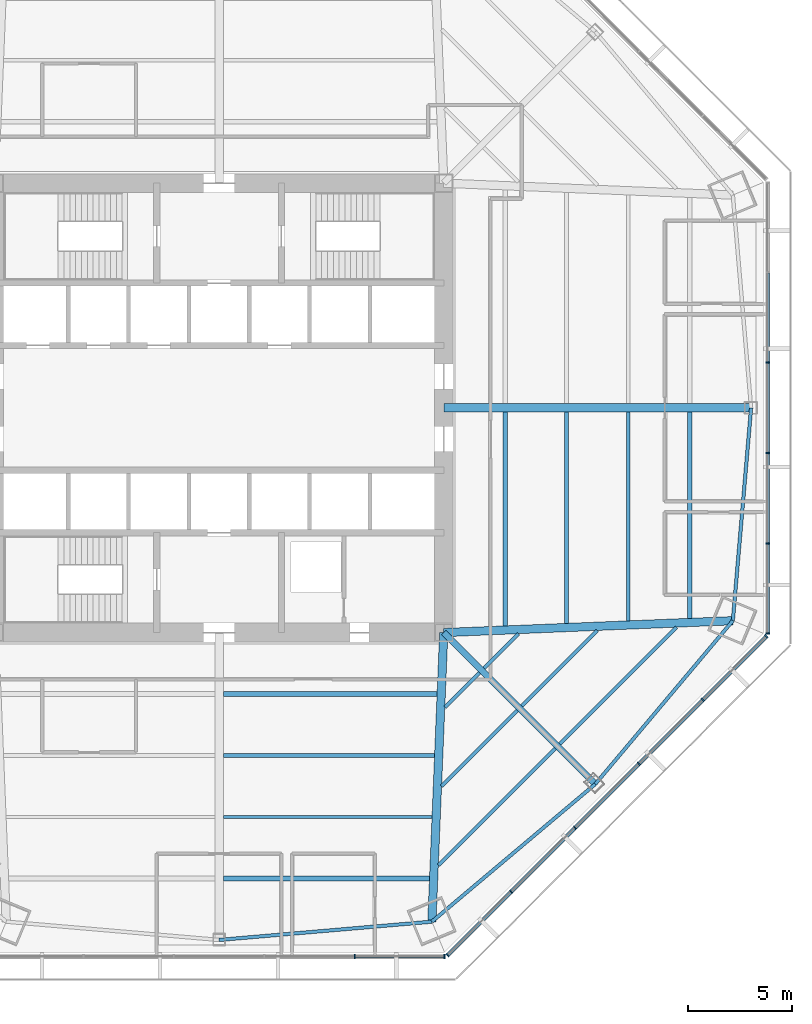
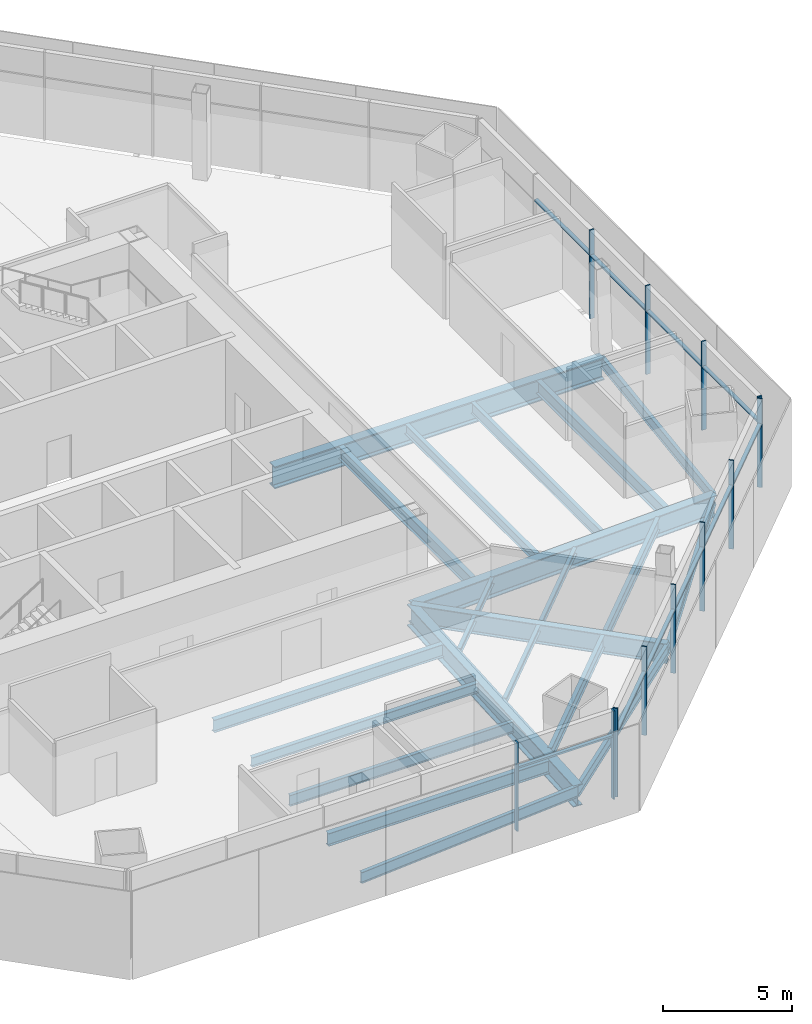
# One storey, part 4 of 15: 22 beams, 22 members, 3 elements without a shape of their own.
"""IFC4 building model written with IfcOpenShell, lengths in metres."""

from ifc_helpers import new_model, si_unit, direction, frame, origin, origin_2d, place, context, subcontext, project, spatial, rectangle, i_section, extrude, source, transform, mapped, material, material_profile, profile_set, type_object, type_shapes, element, aggregate, save


model = new_model("IFC4")

# Units and contexts
model_context = context("Model", 3, precision=1e-05, world=origin(), true_north=direction((0.0, 1.0)))
body_context = subcontext(model_context, "Body", "Model", "MODEL_VIEW")
ifc_project = project(units=[si_unit("LENGTHUNIT", "METRE"), si_unit("AREAUNIT", "SQUARE_METRE"), si_unit("VOLUMEUNIT", "CUBIC_METRE"), si_unit("PLANEANGLEUNIT", "RADIAN"), si_unit("MASSUNIT", "GRAM", prefix="KILO")], contexts=[model_context])

# Site, building, storey
site_placement = place(None, origin())
site = spatial("IfcSite", under=ifc_project, at=site_placement, CompositionType="ELEMENT")
building_placement = place(site_placement, origin())
building = spatial("IfcBuilding", under=site, at=building_placement, Name="Mashrafa Tower", CompositionType="ELEMENT")
storey_placement = place(building_placement, frame((0.0, 0.0, 58.199951171875)))
storey = spatial("IfcBuildingStorey", under=building, at=storey_placement, Name="L12", CompositionType="ELEMENT", Elevation=58.199951171875)

# Beams
ifc_material_1 = material(Name="Steel ASTM A992", Category="steel")
ifc_material_profile_1 = material_profile(ifc_material_1, i_section(OverallWidth=0.164794921875, OverallDepth=0.309814453125, WebThickness=0.005859375, FlangeThickness=0.009765625, FilletRadius=0.007568359375, at=origin_2d()), Name="W12X26")
ifc_profile_set_1 = profile_set([ifc_material_profile_1], Name="Steel ASTM A992")
beam_type_1 = type_object("IfcBeamType", Name="Beam W12X26", PredefinedType="BEAM", material=ifc_profile_set_1)
beam_1_placement = place(storey_placement, frame((12.511962890625, -12.7294921875, -0.31982421875), z_axis=(-0.707106781187, -0.707106781187, 0.0), x_axis=(0.707106781187, -0.707106781187, 0.0)))
element("IfcBeam", 1, at=beam_1_placement, inside=storey, type_object=beam_type_1, Name="Floor beam L12 040", PredefinedType="BEAM", context=body_context, shape_type="SweptSolid", body=[
    extrude(i_section(OverallWidth=0.164794921875, OverallDepth=0.309814453125, WebThickness=0.005859375, FlangeThickness=0.009765625, FilletRadius=0.007568359375, at=origin_2d()), origin(), (0.0, 0.0, 1.0), 2.345703125),
])
beam_2_placement = place(storey_placement, frame((14.332763671875, -14.550048828125, -0.31982421875), z_axis=(-0.707106781187, -0.707106781187, 0.0), x_axis=(0.707106781187, -0.707106781187, 0.0)))
element("IfcBeam", 2, at=beam_2_placement, inside=storey, type_object=beam_type_1, Name="Floor beam L12 044", PredefinedType="BEAM", context=body_context, shape_type="SweptSolid", body=[
    extrude(i_section(OverallWidth=0.164794921875, OverallDepth=0.309814453125, WebThickness=0.005859375, FlangeThickness=0.009765625, FilletRadius=0.007568359375, at=origin_2d()), origin(), (0.0, 0.0, 1.0), 5.141357421875),
])
beam_3_placement = place(storey_placement, frame((14.38818359375, -10.853271484375, -0.31982421875), z_axis=(-0.707106781187, -0.707106781187, 0.0), x_axis=(0.707106781187, -0.707106781187, 0.0)))
element("IfcBeam", 3, at=beam_3_placement, inside=storey, type_object=beam_type_1, Name="Floor beam L12 046", PredefinedType="BEAM", context=body_context, shape_type="SweptSolid", body=[
    extrude(i_section(OverallWidth=0.164794921875, OverallDepth=0.309814453125, WebThickness=0.005859375, FlangeThickness=0.009765625, FilletRadius=0.007568359375, at=origin_2d()), origin(), (0.0, 0.0, 1.0), 2.345703125),
])
beam_4_placement = place(storey_placement, frame((18.185546875, -10.697265625, -0.31982421875), z_axis=(-0.707106781187, -0.707106781187, 0.0), x_axis=(0.707106781187, -0.707106781187, 0.0)))
element("IfcBeam", 4, at=beam_4_placement, inside=storey, type_object=beam_type_1, Name="Floor beam L12 051", PredefinedType="BEAM", context=body_context, shape_type="SweptSolid", body=[
    extrude(i_section(OverallWidth=0.164794921875, OverallDepth=0.309814453125, WebThickness=0.005859375, FlangeThickness=0.009765625, FilletRadius=0.007568359375, at=origin_2d()), origin(), (0.0, 0.0, 1.0), 5.141357421875),
])
ifc_material_2 = material(Name="Steel ASTM A992", Category="steel")
ifc_material_profile_2 = material_profile(ifc_material_2, i_section(OverallWidth=0.191162109375, OverallDepth=0.459716796875, WebThickness=0.010009765625, FlangeThickness=0.01611328125, FilletRadius=0.01025390625, at=origin_2d()), Name="W18X55")
ifc_profile_set_2 = profile_set([ifc_material_profile_2], Name="Steel ASTM A992")
beam_type_2 = type_object("IfcBeamType", Name="Beam W18X55", PredefinedType="BEAM", material=ifc_profile_set_2)
for number, where, z_axis, x_axis, name in (
    (5, (10.356201171875, -16.709228515625, -0.394775390625), (-1.0, 0.0, 0.0), (0.0, -1.0, 0.0), "Floor beam L12 037"),
    (6, (16.709228515625, -0.20458984375, -0.394775390625), (0.0, -1.0, 0.0), (1.0, 0.0, 0.0), "Floor beam L12 049"),
):
    element("IfcBeam", number, at=place(storey_placement, frame(where, z_axis=z_axis, x_axis=x_axis)), inside=storey, type_object=beam_type_2, Name=name, PredefinedType="BEAM", context=body_context, shape_type="SweptSolid", body=[
        extrude(i_section(OverallWidth=0.191162109375, OverallDepth=0.459716796875, WebThickness=0.010009765625, FlangeThickness=0.01611328125, FilletRadius=0.01025390625, at=origin_2d()), origin(), (0.0, 0.0, 1.0), 10.151611328125),
    ])
ifc_material_3 = material(Name="Steel ASTM A992", Category="steel")
ifc_material_profile_3 = material_profile(ifc_material_3, i_section(OverallWidth=0.165771484375, OverallDepth=0.5283203125, WebThickness=0.009765625, FlangeThickness=0.013671875, FilletRadius=0.012939453125, at=origin_2d()), Name="W21X50")
ifc_profile_set_3 = profile_set([ifc_material_profile_3], Name="Steel ASTM A992")
beam_type_3 = type_object("IfcBeamType", Name="Beam W21X50", PredefinedType="BEAM", material=ifc_profile_set_3)
for number, where, z_axis, x_axis, name in (
    (7, (10.23486328125, -19.663818359375, -0.42919921875), (-1.0, 0.0, 0.0), (0.0, -1.0, 0.0), "Floor beam L12 035"),
    (8, (19.663818359375, -0.20458984375, -0.42919921875), (0.0, -1.0, 0.0), (1.0, 0.0, 0.0), "Floor beam L12 052"),
):
    element("IfcBeam", number, at=place(storey_placement, frame(where, z_axis=z_axis, x_axis=x_axis)), inside=storey, type_object=beam_type_3, Name=name, PredefinedType="BEAM", context=body_context, shape_type="SweptSolid", body=[
        extrude(i_section(OverallWidth=0.165771484375, OverallDepth=0.5283203125, WebThickness=0.009765625, FlangeThickness=0.013671875, FilletRadius=0.012939453125, at=origin_2d()), origin(), (0.0, 0.0, 1.0), 10.0302734375),
    ])
for number, where, z_axis, x_axis, name in (
    (9, (0.0, -25.572998046875, -0.42919921875), (0.996335019601, 0.08553670976, 0.0), (-0.08553670976, 0.996335019601, 0.0), "Spandrel beam L12 080"),
    (10, (10.22900390625, -24.69482421875, -0.42919921875), (0.764989509538, 0.644042739495, 0.0), (-0.644042739495, 0.764989509538, 0.0), "Spandrel beam L12 082"),
    (11, (18.082763671875, -18.082763671875, -0.42919921875), (0.644042739495, 0.764989509538, 0.0), (-0.764989509538, 0.644042739495, 0.0), "Spandrel beam L12 084"),
    (12, (24.69482421875, -10.22900390625, -0.42919921875), (0.08553670976, 0.996335019601, 0.0), (-0.996335019601, 0.08553670976, 0.0), "Spandrel beam L12 086"),
):
    element("IfcBeam", number, at=place(storey_placement, frame(where, z_axis=z_axis, x_axis=x_axis)), inside=storey, type_object=beam_type_3, Name=name, PredefinedType="BEAM", context=body_context, shape_type="SweptSolid", body=[
        extrude(i_section(OverallWidth=0.165771484375, OverallDepth=0.5283203125, WebThickness=0.009765625, FlangeThickness=0.013671875, FilletRadius=0.012939453125, at=origin_2d()), origin(), (0.0, 0.0, 1.0), 10.2666015625),
    ])
ifc_material_4 = material(Name="Steel ASTM A992", Category="steel")
ifc_material_profile_4 = material_profile(ifc_material_4, i_section(OverallWidth=0.177978515625, OverallDepth=0.599365234375, WebThickness=0.010009765625, FlangeThickness=0.012939453125, FilletRadius=0.012939453125, at=origin_2d()), Name="W24X55")
ifc_profile_set_4 = profile_set([ifc_material_profile_4], Name="Steel ASTM A992")
beam_type_4 = type_object("IfcBeamType", Name="Beam W24X55", PredefinedType="BEAM", material=ifc_profile_set_4)
for number, where, z_axis, x_axis, name in (
    (13, (16.1533203125, -16.370849609375, -0.464599609375), (-0.707106781187, -0.707106781187, 0.0), (0.707106781187, -0.707106781187, 0.0), "Floor beam L12 047"),
    (14, (21.98291015625, -10.541259765625, -0.464599609375), (-0.707106781187, -0.707106781187, 0.0), (0.707106781187, -0.707106781187, 0.0), "Floor beam L12 054"),
):
    element("IfcBeam", number, at=place(storey_placement, frame(where, z_axis=z_axis, x_axis=x_axis)), inside=storey, type_object=beam_type_4, Name=name, PredefinedType="BEAM", context=body_context, shape_type="SweptSolid", body=[
        extrude(i_section(OverallWidth=0.177978515625, OverallDepth=0.599365234375, WebThickness=0.010009765625, FlangeThickness=0.012939453125, FilletRadius=0.012939453125, at=origin_2d()), origin(), (0.0, 0.0, 1.0), 7.936767578125),
    ])
ifc_material_5 = material(Name="Steel ASTM A992", Category="steel")
ifc_material_profile_5 = material_profile(ifc_material_5, i_section(OverallWidth=0.227783203125, OverallDepth=0.60205078125, WebThickness=0.010498046875, FlangeThickness=0.014892578125, FilletRadius=0.012939453125, at=origin_2d()), Name="W24X68")
ifc_profile_set_5 = profile_set([ifc_material_profile_5], Name="Steel ASTM A992")
beam_type_5 = type_object("IfcBeamType", Name="Beam W24X68", PredefinedType="BEAM", material=ifc_profile_set_5)
for number, where, z_axis, x_axis, name in (
    (15, (10.477783203125, -13.754638671875, -0.4658203125), (-1.0, 0.0, 0.0), (0.0, -1.0, 0.0), "Floor beam L12 039"),
    (16, (13.754638671875, -0.20458984375, -0.4658203125), (0.0, -1.0, 0.0), (1.0, 0.0, 0.0), "Floor beam L12 042"),
):
    element("IfcBeam", number, at=place(storey_placement, frame(where, z_axis=z_axis, x_axis=x_axis)), inside=storey, type_object=beam_type_5, Name=name, PredefinedType="BEAM", context=body_context, shape_type="SweptSolid", body=[
        extrude(i_section(OverallWidth=0.227783203125, OverallDepth=0.60205078125, WebThickness=0.010498046875, FlangeThickness=0.014892578125, FilletRadius=0.012939453125, at=origin_2d()), origin(), (0.0, 0.0, 1.0), 10.273193359375),
    ])
ifc_material_6 = material(Name="Steel ASTM A992", Category="steel")
ifc_material_profile_6 = material_profile(ifc_material_6, i_section(OverallWidth=0.228271484375, OverallDepth=0.607177734375, WebThickness=0.01123046875, FlangeThickness=0.017333984375, FilletRadius=0.0126953125, at=origin_2d()), Name="W24X76")
ifc_profile_set_6 = profile_set([ifc_material_profile_6], Name="Steel ASTM A992")
beam_type_6 = type_object("IfcBeamType", Name="Beam W24X76", PredefinedType="BEAM", material=ifc_profile_set_6)
for number, where, z_axis, x_axis, name in (
    (17, (10.11328125, -22.618408203125, -0.468505859375), (-1.0, 0.0, 0.0), (0.0, -1.0, 0.0), "Floor beam L12 033"),
    (18, (22.618408203125, -0.20458984375, -0.468505859375), (0.0, -1.0, 0.0), (1.0, 0.0, 0.0), "Floor beam L12 055"),
):
    element("IfcBeam", number, at=place(storey_placement, frame(where, z_axis=z_axis, x_axis=x_axis)), inside=storey, type_object=beam_type_6, Name=name, PredefinedType="BEAM", context=body_context, shape_type="SweptSolid", body=[
        extrude(i_section(OverallWidth=0.228271484375, OverallDepth=0.607177734375, WebThickness=0.01123046875, FlangeThickness=0.017333984375, FilletRadius=0.0126953125, at=origin_2d()), origin(), (0.0, 0.0, 1.0), 9.90869140625),
    ])
ifc_material_7 = material(Name="Steel ASTM A992", Category="steel")
ifc_material_profile_7 = material_profile(ifc_material_7, i_section(OverallWidth=0.307373046875, OverallDepth=0.927001953125, WebThickness=0.01953125, FlangeThickness=0.031982421875, FilletRadius=0.01904296875, at=origin_2d()), Name="W36X194")
ifc_profile_set_7 = profile_set([ifc_material_profile_7], Name="Steel ASTM A992")
beam_type_7 = type_object("IfcBeamType", Name="Beam W36X194", PredefinedType="BEAM", material=ifc_profile_set_7)
beam_5_placement = place(storey_placement, frame((10.800048828125, -10.800048828125, -0.62841796875), z_axis=(0.707106781187, -0.707106781187, 0.0), x_axis=(0.707106781187, 0.707106781187, 0.0)))
element("IfcBeam", 19, at=beam_5_placement, inside=storey, type_object=beam_type_7, Name="Radial girder L12 067", PredefinedType="BEAM", context=body_context, shape_type="SweptSolid", body=[
    extrude(i_section(OverallWidth=0.307373046875, OverallDepth=0.927001953125, WebThickness=0.01953125, FlangeThickness=0.031982421875, FilletRadius=0.01904296875, at=origin_2d()), origin(), (0.0, 0.0, 1.0), 10.29931640625),
])
ifc_material_8 = material(Name="Steel ASTM A992", Category="steel")
ifc_material_profile_8 = material_profile(ifc_material_8, i_section(OverallWidth=0.4013671875, OverallDepth=1.010986328125, WebThickness=0.023681640625, FlangeThickness=0.0419921875, FilletRadius=0.02001953125, at=origin_2d()), Name="W40X297")
ifc_profile_set_8 = profile_set([ifc_material_profile_8], Name="Steel ASTM A992")
beam_type_8 = type_object("IfcBeamType", Name="Beam W40X297", PredefinedType="BEAM", material=ifc_profile_set_8)
for number, where, z_axis, x_axis, name in (
    (20, (10.800048828125, -10.800048828125, -0.67041015625), (-0.041063152138, -0.999156553067, 0.0), (0.999156553067, -0.041063152138, 0.0), "Radial girder L12 066"),
    (21, (10.800048828125, -10.800048828125, -0.67041015625), (0.999156553067, 0.041063152138, 0.0), (-0.041063152138, 0.999156553067, 0.0), "Radial girder L12 068"),
):
    element("IfcBeam", number, at=place(storey_placement, frame(where, z_axis=z_axis, x_axis=x_axis)), inside=storey, type_object=beam_type_8, Name=name, PredefinedType="BEAM", context=body_context, shape_type="SweptSolid", body=[
        extrude(i_section(OverallWidth=0.4013671875, OverallDepth=1.010986328125, WebThickness=0.023681640625, FlangeThickness=0.0419921875, FilletRadius=0.02001953125, at=origin_2d()), origin(), (0.0, 0.0, 1.0), 13.906494140625),
    ])
ifc_material_9 = material(Name="Steel ASTM A992", Category="steel")
ifc_material_profile_9 = material_profile(ifc_material_9, i_section(OverallWidth=0.408935546875, OverallDepth=1.04150390625, WebThickness=0.031005859375, FlangeThickness=0.055908203125, FilletRadius=0.020263671875, at=origin_2d()), Name="W40X397")
ifc_profile_set_9 = profile_set([ifc_material_profile_9], Name="Steel ASTM A992")
beam_type_9 = type_object("IfcBeamType", Name="Beam W40X397", PredefinedType="BEAM", material=ifc_profile_set_9)
beam_6_placement = place(storey_placement, frame((10.800048828125, 0.0, -0.685546875), z_axis=(1.0, 0.0, 0.0), x_axis=(0.0, 1.0, 0.0)))
element("IfcBeam", 22, at=beam_6_placement, inside=storey, type_object=beam_type_9, Name="Radial girder L12 069", PredefinedType="BEAM", context=body_context, shape_type="SweptSolid", body=[
    extrude(i_section(OverallWidth=0.408935546875, OverallDepth=1.04150390625, WebThickness=0.031005859375, FlangeThickness=0.055908203125, FilletRadius=0.020263671875, at=origin_2d()), origin(), (0.0, 0.0, 1.0), 14.77294921875),
])

# Curtain wall, members
ifc_material_10 = material(Name="Unitised aluminium curtain wall", Category="aluminium")
curtain_wall_type = type_object("IfcCurtainWallType", Name="Office curtain wall, zone 1 CW-A 200 deep", PredefinedType="NOTDEFINED", material=ifc_material_10)
curtain_wall_1_placement = place(storey_placement, origin())
curtain_wall_1 = element("IfcCurtainWall", 23, at=curtain_wall_1_placement, inside=storey, type_object=curtain_wall_type, Name="Office curtain wall, zone 1 L12 east", PredefinedType="NOTDEFINED")
ifc_material_11 = material(Name="Extruded aluminium mullion", Category="aluminium")
ifc_material_profile_10 = material_profile(ifc_material_11, rectangle(XDim=0.199951171875, YDim=0.06494140625, at=origin_2d()), Name="Mullion 65x200")
ifc_profile_set_10 = profile_set([ifc_material_profile_10], Name="Extruded aluminium mullion")
member_type_1 = type_object("IfcMemberType", Name="Mullion CW-A 65 x 200", PredefinedType="MULLION", material=ifc_profile_set_10)
shared_shape_1 = source(origin(), body_context, "Body", "SweptSolid", [
    extrude(rectangle(XDim=0.199951171875, YDim=0.06494140625, at=origin_2d()), origin(), (0.0, 0.0, 1.0), 4.199951171875),
])
type_shapes(member_type_1, [shared_shape_1])
member_1_placement = place(storey_placement, frame((26.368408203125, -10.838134765625, 0.0), z_axis=(0.0, 0.0, 1.0), x_axis=(-1.0, 0.0, 0.0)))
member_1 = element("IfcMember", 24, at=member_1_placement, type_object=member_type_1, Name="CW-A mullion 1", PredefinedType="MULLION", context=body_context, shape_type="MappedRepresentation", body=[
    mapped(shared_shape_1, transform((0.0, 0.0, 0.0))),
])
member_2_placement = place(storey_placement, frame((26.368408203125, -6.5224609375, 0.0), z_axis=(0.0, 0.0, 1.0), x_axis=(-1.0, 0.0, 0.0)))
member_2 = element("IfcMember", 25, at=member_2_placement, type_object=member_type_1, Name="CW-A mullion 2", PredefinedType="MULLION", context=body_context, shape_type="MappedRepresentation", body=[
    mapped(shared_shape_1, transform((0.0, 0.0, 0.0))),
])
member_3_placement = place(storey_placement, frame((26.368408203125, -2.174072265625, 0.0), z_axis=(0.0, 0.0, 1.0), x_axis=(-1.0, 0.0, 0.0)))
member_3 = element("IfcMember", 26, at=member_3_placement, type_object=member_type_1, Name="CW-A mullion 3", PredefinedType="MULLION", context=body_context, shape_type="MappedRepresentation", body=[
    mapped(shared_shape_1, transform((0.0, 0.0, 0.0))),
])
member_4_placement = place(storey_placement, frame((26.368408203125, 2.174072265625, 0.0), z_axis=(0.0, 0.0, 1.0), x_axis=(-1.0, 0.0, 0.0)))
member_4 = element("IfcMember", 27, at=member_4_placement, type_object=member_type_1, Name="CW-A mullion 4", PredefinedType="MULLION", context=body_context, shape_type="MappedRepresentation", body=[
    mapped(shared_shape_1, transform((0.0, 0.0, 0.0))),
])

curtain_wall_2_placement = place(storey_placement, origin())
curtain_wall_2 = element("IfcCurtainWall", 28, at=curtain_wall_2_placement, inside=storey, type_object=curtain_wall_type, Name="Office curtain wall, zone 1 L12 south", PredefinedType="NOTDEFINED")
member_5_placement = place(storey_placement, frame((6.5224609375, -26.368408203125, 0.0), z_axis=(0.0, 0.0, 1.0), x_axis=(0.0, 1.0, 0.0)))
member_5 = element("IfcMember", 29, at=member_5_placement, type_object=member_type_1, Name="CW-A mullion 5", PredefinedType="MULLION", context=body_context, shape_type="MappedRepresentation", body=[
    mapped(shared_shape_1, transform((0.0, 0.0, 0.0))),
])
member_6_placement = place(storey_placement, frame((10.838134765625, -26.368408203125, 0.0), z_axis=(0.0, 0.0, 1.0), x_axis=(0.0, 1.0, 0.0)))
member_6 = element("IfcMember", 30, at=member_6_placement, type_object=member_type_1, Name="CW-A mullion 6", PredefinedType="MULLION", context=body_context, shape_type="MappedRepresentation", body=[
    mapped(shared_shape_1, transform((0.0, 0.0, 0.0))),
])

curtain_wall_3_placement = place(storey_placement, origin())
curtain_wall_3 = element("IfcCurtainWall", 31, at=curtain_wall_3_placement, inside=storey, type_object=curtain_wall_type, Name="Office curtain wall, zone 1 L12 south-east", PredefinedType="NOTDEFINED")
member_7_placement = place(storey_placement, frame((10.9814453125, -26.30908203125, 0.0), z_axis=(0.0, 0.0, 1.0), x_axis=(-0.707106781187, 0.707106781187, 0.0)))
member_7 = element("IfcMember", 32, at=member_7_placement, type_object=member_type_1, Name="CW-A mullion 1", PredefinedType="MULLION", context=body_context, shape_type="MappedRepresentation", body=[
    mapped(shared_shape_1, transform((0.0, 0.0, 0.0))),
])
member_8_placement = place(storey_placement, frame((14.033203125, -23.25732421875, 0.0), z_axis=(0.0, 0.0, 1.0), x_axis=(-0.707106781187, 0.707106781187, 0.0)))
member_8 = element("IfcMember", 33, at=member_8_placement, type_object=member_type_1, Name="CW-A mullion 2", PredefinedType="MULLION", context=body_context, shape_type="MappedRepresentation", body=[
    mapped(shared_shape_1, transform((0.0, 0.0, 0.0))),
])
member_9_placement = place(storey_placement, frame((17.10791015625, -20.1826171875, 0.0), z_axis=(0.0, 0.0, 1.0), x_axis=(-0.707106781187, 0.707106781187, 0.0)))
member_9 = element("IfcMember", 34, at=member_9_placement, type_object=member_type_1, Name="CW-A mullion 3", PredefinedType="MULLION", context=body_context, shape_type="MappedRepresentation", body=[
    mapped(shared_shape_1, transform((0.0, 0.0, 0.0))),
])
member_10_placement = place(storey_placement, frame((20.1826171875, -17.10791015625, 0.0), z_axis=(0.0, 0.0, 1.0), x_axis=(-0.707106781187, 0.707106781187, 0.0)))
member_10 = element("IfcMember", 35, at=member_10_placement, type_object=member_type_1, Name="CW-A mullion 4", PredefinedType="MULLION", context=body_context, shape_type="MappedRepresentation", body=[
    mapped(shared_shape_1, transform((0.0, 0.0, 0.0))),
])
member_11_placement = place(storey_placement, frame((23.25732421875, -14.033203125, 0.0), z_axis=(0.0, 0.0, 1.0), x_axis=(-0.707106781187, 0.707106781187, 0.0)))
member_11 = element("IfcMember", 36, at=member_11_placement, type_object=member_type_1, Name="CW-A mullion 5", PredefinedType="MULLION", context=body_context, shape_type="MappedRepresentation", body=[
    mapped(shared_shape_1, transform((0.0, 0.0, 0.0))),
])
member_12_placement = place(storey_placement, frame((26.30908203125, -10.9814453125, 0.0), z_axis=(0.0, 0.0, 1.0), x_axis=(-0.707106781187, 0.707106781187, 0.0)))
member_12 = element("IfcMember", 37, at=member_12_placement, type_object=member_type_1, Name="CW-A mullion 6", PredefinedType="MULLION", context=body_context, shape_type="MappedRepresentation", body=[
    mapped(shared_shape_1, transform((0.0, 0.0, 0.0))),
])

# Member
ifc_material_12 = material(Name="Extruded aluminium transom", Category="aluminium")
ifc_material_profile_11 = material_profile(ifc_material_12, rectangle(XDim=0.159912109375, YDim=0.080078125, at=origin_2d()), Name="Transom 80x160")
ifc_profile_set_11 = profile_set([ifc_material_profile_11], Name="Extruded aluminium transom")
member_type_2 = type_object("IfcMemberType", Name="Transom CW-A 80 x 160", PredefinedType="MULLION", material=ifc_profile_set_11)
shared_shape_2 = source(origin(), body_context, "Body", "SweptSolid", [
    extrude(rectangle(XDim=0.159912109375, YDim=0.080078125, at=origin_2d()), origin(), (0.0, 0.0, 1.0), 4.250732421875),
])
member_13_placement = place(storey_placement, frame((26.368408203125, -10.8056640625, 3.0), z_axis=(0.0, 1.0, 0.0), x_axis=(-1.0, 0.0, 0.0)))
member_13 = element("IfcMember", 38, at=member_13_placement, type_object=member_type_2, Name="CW-A transom 1", PredefinedType="MULLION", context=body_context, shape_type="MappedRepresentation", body=[
    mapped(shared_shape_2, transform((0.0, 0.0, 0.0))),
])

member_14_placement = place(storey_placement, frame((6.554931640625, -26.368408203125, 3.0), z_axis=(1.0, 0.0, 0.0), x_axis=(0.0, 1.0, 0.0)))
member_14 = element("IfcMember", 39, at=member_14_placement, type_object=member_type_2, Name="CW-A transom 5", PredefinedType="MULLION", context=body_context, shape_type="MappedRepresentation", body=[
    mapped(shared_shape_2, transform((0.0, 0.0, 0.0))),
])

aggregate(curtain_wall_2, [member_5, member_6, member_14])

member_15_placement = place(storey_placement, frame((11.00439453125, -26.285888671875, 3.0), z_axis=(0.707135497932, 0.707078063275, 0.0), x_axis=(-0.707078063275, 0.707135497932, 0.0)))
member_15 = element("IfcMember", 40, at=member_15_placement, type_object=member_type_2, Name="CW-A transom 1", PredefinedType="MULLION", context=body_context, shape_type="MappedRepresentation", body=[
    mapped(shared_shape_2, transform((0.0, 0.0, 0.0))),
])

member_16_placement = place(storey_placement, frame((23.2802734375, -14.01025390625, 3.0), z_axis=(0.707078063275, 0.707135497932, 0.0), x_axis=(-0.707135497932, 0.707078063275, 0.0)))
member_16 = element("IfcMember", 41, at=member_16_placement, type_object=member_type_2, Name="CW-A transom 5", PredefinedType="MULLION", context=body_context, shape_type="MappedRepresentation", body=[
    mapped(shared_shape_2, transform((0.0, 0.0, 0.0))),
])

shared_shape_3 = source(origin(), body_context, "Body", "SweptSolid", [
    extrude(rectangle(XDim=0.159912109375, YDim=0.080078125, at=origin_2d()), origin(), (0.0, 0.0, 1.0), 4.283447265625),
])
member_17_placement = place(storey_placement, frame((26.368408203125, -6.489990234375, 3.0), z_axis=(0.0, 1.0, 0.0), x_axis=(-1.0, 0.0, 0.0)))
member_17 = element("IfcMember", 42, at=member_17_placement, type_object=member_type_2, Name="CW-A transom 2", PredefinedType="MULLION", context=body_context, shape_type="MappedRepresentation", body=[
    mapped(shared_shape_3, transform((0.0, 0.0, 0.0))),
])

member_18_placement = place(storey_placement, frame((26.368408203125, 2.20654296875, 3.0), z_axis=(0.0, 1.0, 0.0), x_axis=(-1.0, 0.0, 0.0)))
member_18 = element("IfcMember", 43, at=member_18_placement, type_object=member_type_2, Name="CW-A transom 4", PredefinedType="MULLION", context=body_context, shape_type="MappedRepresentation", body=[
    mapped(shared_shape_3, transform((0.0, 0.0, 0.0))),
])

member_19_placement = place(storey_placement, frame((14.05615234375, -23.234375, 3.0), z_axis=(0.707106781187, 0.707106781187, 0.0), x_axis=(-0.707106781187, 0.707106781187, 0.0)))
member_19 = element("IfcMember", 44, at=member_19_placement, type_object=member_type_2, Name="CW-A transom 2", PredefinedType="MULLION", context=body_context, shape_type="MappedRepresentation", body=[
    mapped(shared_shape_3, transform((0.0, 0.0, 0.0))),
])

member_20_placement = place(storey_placement, frame((17.130859375, -20.15966796875, 3.0), z_axis=(0.707106781187, 0.707106781187, 0.0), x_axis=(-0.707106781187, 0.707106781187, 0.0)))
member_20 = element("IfcMember", 45, at=member_20_placement, type_object=member_type_2, Name="CW-A transom 3", PredefinedType="MULLION", context=body_context, shape_type="MappedRepresentation", body=[
    mapped(shared_shape_3, transform((0.0, 0.0, 0.0))),
])

member_21_placement = place(storey_placement, frame((20.20556640625, -17.0849609375, 3.0), z_axis=(0.707106781187, 0.707106781187, 0.0), x_axis=(-0.707106781187, 0.707106781187, 0.0)))
member_21 = element("IfcMember", 46, at=member_21_placement, type_object=member_type_2, Name="CW-A transom 4", PredefinedType="MULLION", context=body_context, shape_type="MappedRepresentation", body=[
    mapped(shared_shape_3, transform((0.0, 0.0, 0.0))),
])

aggregate(curtain_wall_3, [member_7, member_8, member_9, member_10, member_11, member_12, member_15, member_19, member_20, member_21, member_16])

shared_shape_4 = source(origin(), body_context, "Body", "SweptSolid", [
    extrude(rectangle(XDim=0.159912109375, YDim=0.080078125, at=origin_2d()), origin(), (0.0, 0.0, 1.0), 4.283203125),
])
type_shapes(member_type_2, [shared_shape_2, shared_shape_3, shared_shape_4])
member_22_placement = place(storey_placement, frame((26.368408203125, -2.1416015625, 3.0), z_axis=(0.0, 1.0, 0.0), x_axis=(-1.0, 0.0, 0.0)))
member_22 = element("IfcMember", 47, at=member_22_placement, type_object=member_type_2, Name="CW-A transom 3", PredefinedType="MULLION", context=body_context, shape_type="MappedRepresentation", body=[
    mapped(shared_shape_4, transform((0.0, 0.0, 0.0))),
])

aggregate(curtain_wall_1, [member_1, member_2, member_3, member_4, member_13, member_17, member_22, member_18])

save(model, "model.ifc")
